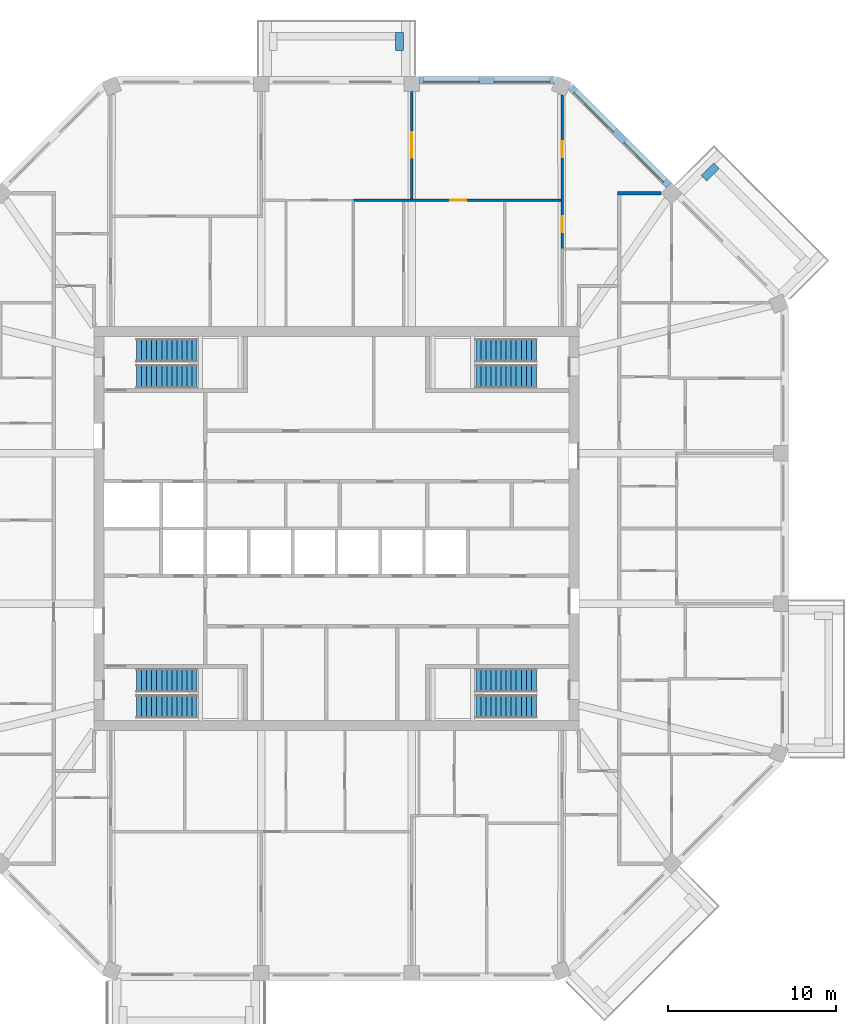
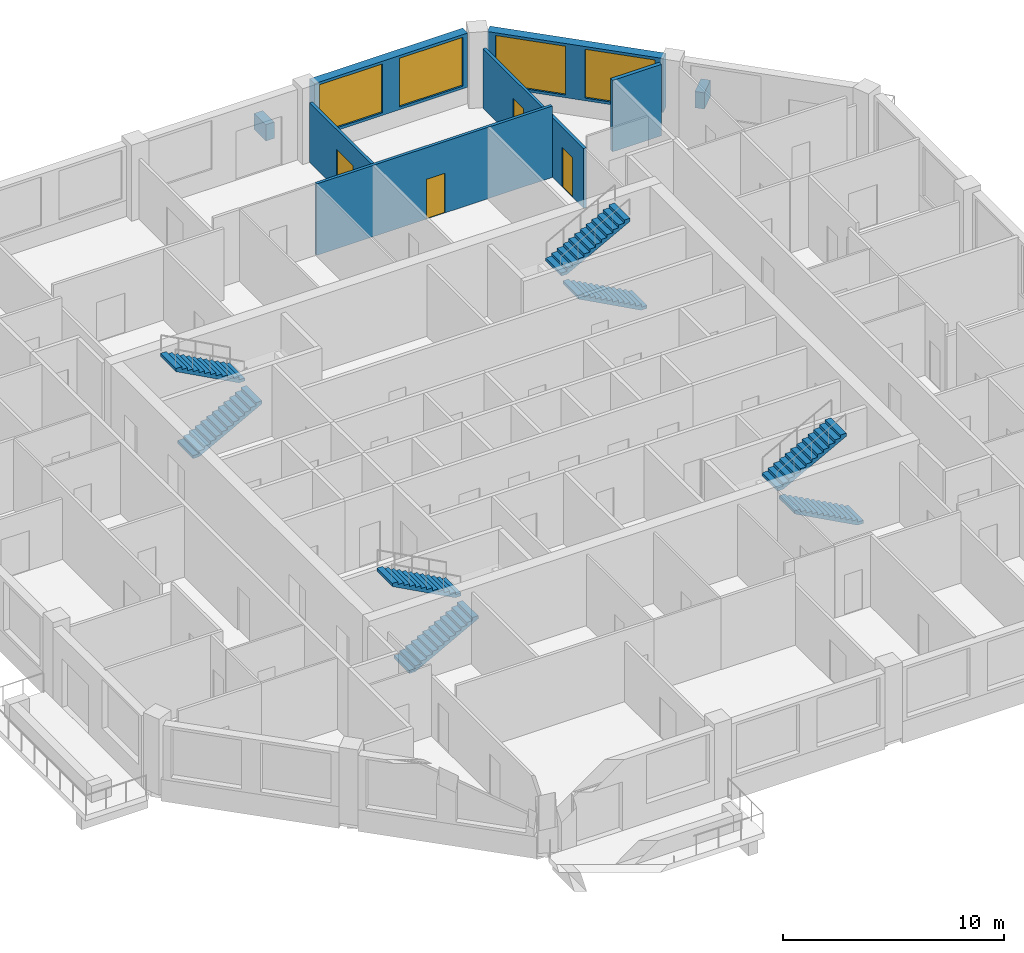
# One storey, part 10 of 11: 8 stair flights, 8 walls, 4 doors, 4 windows, 8 openings, 4 elements without a shape of their own.
"""IFC4 building model written with IfcOpenShell, lengths in metres."""

from ifc_helpers import new_model, si_unit, direction, frame, frame_2d, origin, place, context, subcontext, project, spatial, polyline, rectangle, outline, extrude, material, layer, layer_set, type_object, element, fill, aggregate, save


model = new_model("IFC4")

# Units and contexts
model_context = context("Model", 3, precision=1e-05, world=origin(), true_north=direction((0.0, 1.0)))
body_context = subcontext(model_context, "Body", "Model", "MODEL_VIEW")
ifc_project = project(units=[si_unit("LENGTHUNIT", "METRE"), si_unit("AREAUNIT", "SQUARE_METRE"), si_unit("VOLUMEUNIT", "CUBIC_METRE"), si_unit("PLANEANGLEUNIT", "RADIAN"), si_unit("MASSUNIT", "GRAM", prefix="KILO")], contexts=[model_context])

# Site, building, storey
site_placement = place(None, origin())
site = spatial("IfcSite", under=ifc_project, at=site_placement, CompositionType="ELEMENT")
building_placement = place(site_placement, origin())
building = spatial("IfcBuilding", under=site, at=building_placement, Name="Msitu Wima Residences", CompositionType="ELEMENT")
storey_placement = place(building_placement, frame((0.0, 0.0, 264.300048828125)))
storey = spatial("IfcBuildingStorey", under=building, at=storey_placement, Name="L61", CompositionType="ELEMENT", Elevation=264.300048828125)

# Walls
ifc_material_1 = material(Name="Facing brick")
ifc_layer_1 = layer(ifc_material_1, 0.06494140625, Name="Facing brick")
ifc_material_2 = material(Name="Concrete C40/50", Category="concrete")
ifc_layer_2 = layer(ifc_material_2, 0.156005859375, Name="Concrete C40/50")
ifc_material_3 = material(Name="Waterproofing membrane")
ifc_layer_3 = layer(ifc_material_3, 0.00390625, Name="Waterproofing membrane")
ifc_material_4 = material(Name="Planting soil and planting")
ifc_layer_4 = layer(ifc_material_4, 0.22509765625, Name="Planting soil and planting")
ifc_layer_set_1 = layer_set([ifc_layer_1, ifc_layer_2, ifc_layer_3, ifc_layer_4], Name="Concrete C40/50")
wall_type_1 = type_object("IfcWallType", Name="Balcony planter PLANTER PL450", PredefinedType="USERDEFINED", material=ifc_layer_set_1)
for number, where, z_axis, x_axis, name in (
    (1, (21.829833984375, 20.804443359375, 0.0), (0.0, 0.0, 1.0), (0.707106781187, 0.707106781187, 0.0), "Balcony planter NE0 L61"),
    (2, (3.74365234375, 28.39990234375, 0.0), (0.0, 0.0, 1.0), (0.0, 1.0, 0.0), "Balcony planter N1 L61"),
):
    element("IfcWall", number, at=place(storey_placement, frame(where, z_axis=z_axis, x_axis=x_axis)), inside=storey, type_object=wall_type_1, Name=name, ObjectType="PLANTER", PredefinedType="USERDEFINED", context=body_context, shape_type="SweptSolid", body=[
        extrude(rectangle(XDim=1.050048828125, YDim=0.449951171875, at=frame_2d((0.52490234375, 0.0))), origin(), (0.0, 0.0, 1.0), 0.89990234375),
    ])

# Wall, openings, windows
ifc_material_5 = material(Name="Brick (red buff mix)", Category="masonry")
ifc_layer_5 = layer(ifc_material_5, 0.449951171875)
ifc_layer_set_2 = layer_set([ifc_layer_5], Name="Brick (red buff mix)")
wall_type_2 = type_object("IfcWallType", Name="Brick infill wall BW450", PredefinedType="SOLIDWALL", material=ifc_layer_set_2)
wall_1_placement = place(storey_placement, frame((19.743896484375, 20.380126953125, 0.89990234375), z_axis=(0.0, 0.0, 1.0), x_axis=(-0.707106781187, 0.707106781187, 0.0)))
wall_1 = element("IfcWall", 3, at=wall_1_placement, inside=storey, type_object=wall_type_2, Name="Brick infill wall L61 NE1", PredefinedType="SOLIDWALL", context=body_context, shape_type="SweptSolid", body=[
    extrude(rectangle(XDim=8.251220703125, YDim=0.449951171875, at=frame_2d((4.12548828125, 0.0))), origin(), (0.0, 0.0, 1.0), 3.0),
])
opening_1_placement = place(wall_1_placement, frame((0.37548828125, 0.0, 0.14990234375)))
opening_1 = element("IfcOpeningElement", 4, at=opening_1_placement, cuts=wall_1, Name="Opening W60-62.012", PredefinedType="OPENING", context=body_context, shape_type="SweptSolid", body=[
    extrude(rectangle(XDim=3.300048828125, YDim=2.699951171875, at=frame_2d((1.64990234375, 1.35009765625))), frame((0.0, 0.23486328125, 0.0), z_axis=(0.0, -1.0, 0.0), x_axis=(1.0, 0.0, 0.0)), (0.0, 0.0, 1.0), 0.469970703125),
])
opening_2_placement = place(wall_1_placement, frame((4.57568359375, 0.0, 0.14990234375)))
opening_2 = element("IfcOpeningElement", 5, at=opening_2_placement, cuts=wall_1, Name="Opening W60-62.013", PredefinedType="OPENING", context=body_context, shape_type="SweptSolid", body=[
    extrude(rectangle(XDim=3.300048828125, YDim=2.699951171875, at=frame_2d((1.64990234375, 1.35009765625))), frame((0.0, 0.23486328125, 0.0), z_axis=(0.0, -1.0, 0.0), x_axis=(1.0, 0.0, 0.0)), (0.0, 0.0, 1.0), 0.469970703125),
])
ifc_material_6 = material(Name="Anodised aluminium, bronze finish, clear low-emissivity double glazing", Category="aluminium")
window_type = type_object("IfcWindowType", Name="Window W3300x2700", PartitioningType="DOUBLE_PANEL_VERTICAL", PredefinedType="WINDOW", material=ifc_material_6)
window_1_placement = place(opening_1_placement, origin())
window_1 = element("IfcWindow", 6, at=window_1_placement, inside=storey, type_object=window_type, Name="Window L61 NE1.1", OverallHeight=2.699951171875, OverallWidth=3.300048828125, PartitioningType="SINGLE_PANEL", PredefinedType="WINDOW", context=body_context, shape_type="SweptSolid", body=[
    extrude(rectangle(XDim=3.300048828125, YDim=2.699951171875, at=frame_2d((1.64990234375, 1.35009765625))), frame((0.0, 0.135009765625, 0.0), z_axis=(0.0, -1.0, 0.0), x_axis=(1.0, 0.0, 0.0)), (0.0, 0.0, 1.0), 0.06005859375),
])
fill(opening_1, window_1)
window_2_placement = place(opening_2_placement, origin())
window_2 = element("IfcWindow", 7, at=window_2_placement, inside=storey, type_object=window_type, Name="Window L61 NE1.2", OverallHeight=2.699951171875, OverallWidth=3.300048828125, PartitioningType="SINGLE_PANEL", PredefinedType="WINDOW", context=body_context, shape_type="SweptSolid", body=[
    extrude(rectangle(XDim=3.300048828125, YDim=2.699951171875, at=frame_2d((1.64990234375, 1.35009765625))), frame((0.0, 0.135009765625, 0.0), z_axis=(0.0, -1.0, 0.0), x_axis=(1.0, 0.0, 0.0)), (0.0, 0.0, 1.0), 0.06005859375),
])
fill(opening_2, window_2)

wall_2_placement = place(storey_placement, frame((12.918701171875, 26.625, 0.89990234375), z_axis=(0.0, 0.0, 1.0), x_axis=(-1.0, 0.0, 0.0)))
wall_2 = element("IfcWall", 8, at=wall_2_placement, inside=storey, type_object=wall_type_2, Name="Brick infill wall L61 N0", PredefinedType="SOLIDWALL", context=body_context, shape_type="SweptSolid", body=[
    extrude(rectangle(XDim=8.0, YDim=0.449951171875, at=frame_2d((4.0, 0.0))), origin(), (0.0, 0.0, 1.0), 3.0),
])
opening_3_placement = place(wall_2_placement, frame((0.25, 0.0, 0.14990234375)))
opening_3 = element("IfcOpeningElement", 9, at=opening_3_placement, cuts=wall_2, Name="Opening W60-62.006", PredefinedType="OPENING", context=body_context, shape_type="SweptSolid", body=[
    extrude(rectangle(XDim=3.300048828125, YDim=2.699951171875, at=frame_2d((1.64990234375, 1.35009765625))), frame((0.0, 0.23486328125, 0.0), z_axis=(0.0, -1.0, 0.0), x_axis=(1.0, 0.0, 0.0)), (0.0, 0.0, 1.0), 0.469970703125),
])
opening_4_placement = place(wall_2_placement, frame((4.4501953125, 0.0, 0.14990234375)))
opening_4 = element("IfcOpeningElement", 10, at=opening_4_placement, cuts=wall_2, Name="Opening W60-62.007", PredefinedType="OPENING", context=body_context, shape_type="SweptSolid", body=[
    extrude(rectangle(XDim=3.300048828125, YDim=2.699951171875, at=frame_2d((1.64990234375, 1.35009765625))), frame((0.0, 0.23486328125, 0.0), z_axis=(0.0, -1.0, 0.0), x_axis=(1.0, 0.0, 0.0)), (0.0, 0.0, 1.0), 0.469970703125),
])
window_3_placement = place(opening_3_placement, origin())
window_3 = element("IfcWindow", 11, at=window_3_placement, inside=storey, type_object=window_type, Name="Window L61 N0.1", OverallHeight=2.699951171875, OverallWidth=3.300048828125, PartitioningType="SINGLE_PANEL", PredefinedType="WINDOW", context=body_context, shape_type="SweptSolid", body=[
    extrude(rectangle(XDim=3.300048828125, YDim=2.699951171875, at=frame_2d((1.64990234375, 1.35009765625))), frame((0.0, 0.135009765625, 0.0), z_axis=(0.0, -1.0, 0.0), x_axis=(1.0, 0.0, 0.0)), (0.0, 0.0, 1.0), 0.06005859375),
])
fill(opening_3, window_3)
window_4_placement = place(opening_4_placement, origin())
window_4 = element("IfcWindow", 12, at=window_4_placement, inside=storey, type_object=window_type, Name="Window L61 N0.2", OverallHeight=2.699951171875, OverallWidth=3.300048828125, PartitioningType="SINGLE_PANEL", PredefinedType="WINDOW", context=body_context, shape_type="SweptSolid", body=[
    extrude(rectangle(XDim=3.300048828125, YDim=2.699951171875, at=frame_2d((1.64990234375, 1.35009765625))), frame((0.0, 0.135009765625, 0.0), z_axis=(0.0, -1.0, 0.0), x_axis=(1.0, 0.0, 0.0)), (0.0, 0.0, 1.0), 0.06005859375),
])
fill(opening_4, window_4)

# Wall, opening, door
ifc_material_7 = material(Name="Plaster")
ifc_layer_6 = layer(ifc_material_7, 0.011962890625, Name="Plaster")
ifc_material_8 = material(Name="Concrete blockwork", Category="masonry")
ifc_layer_7 = layer(ifc_material_8, 0.1259765625, Name="Concrete blockwork")
ifc_layer_8 = layer(ifc_material_7, 0.011962890625, Name="Plaster")
ifc_layer_set_3 = layer_set([ifc_layer_6, ifc_layer_7, ifc_layer_8], Name="Concrete blockwork")
wall_type_3 = type_object("IfcWallType", Name="Partition PW150", PredefinedType="PARTITIONING", material=ifc_layer_set_3)
wall_3_placement = place(storey_placement, frame((1.0, 19.5, 0.0), z_axis=(0.0, 0.0, 1.0), x_axis=(1.0, 0.0, 0.0)))
wall_3 = element("IfcWall", 13, at=wall_3_placement, inside=storey, type_object=wall_type_3, Name="Partition", PredefinedType="PARTITIONING", context=body_context, shape_type="SweptSolid", body=[
    extrude(rectangle(XDim=12.330810546875, YDim=0.14990234375, at=frame_2d((6.16552734375, 0.0))), origin(), (0.0, 0.0, 1.0), 3.949951171875),
])
opening_5_placement = place(wall_3_placement, frame((5.75, 0.0, 0.0)))
opening_5 = element("IfcOpeningElement", 14, at=opening_5_placement, cuts=wall_3, Name="Opening D60-62.028", PredefinedType="OPENING", context=body_context, shape_type="SweptSolid", body=[
    extrude(rectangle(XDim=0.949951171875, YDim=2.199951171875, at=frame_2d((0.47509765625, 1.10009765625))), frame((0.0, 0.0849609375, 0.0), z_axis=(0.0, -1.0, 0.0), x_axis=(1.0, 0.0, 0.0)), (0.0, 0.0, 1.0), 0.169921875),
])
ifc_material_9 = material(Name="Timber flush door", Category="wood")
door_type_1 = type_object("IfcDoorType", Name="Room door D12 950x2200", OperationType="SINGLE_SWING_LEFT", PredefinedType="DOOR", material=ifc_material_9)
door_1_placement = place(opening_5_placement, origin())
door_1 = element("IfcDoor", 15, at=door_1_placement, inside=storey, type_object=door_type_1, Name="Room door", OperationType="SINGLE_SWING_LEFT", OverallHeight=2.199951171875, OverallWidth=0.949951171875, PredefinedType="DOOR", context=body_context, shape_type="SweptSolid", body=[
    extrude(rectangle(XDim=0.949951171875, YDim=2.199951171875, at=frame_2d((0.47509765625, 1.10009765625))), frame((0.0, 0.02490234375, 0.0), z_axis=(0.0, -1.0, 0.0), x_axis=(1.0, 0.0, 0.0)), (0.0, 0.0, 1.0), 0.050048828125),
])
fill(opening_5, door_1)

wall_4_placement = place(storey_placement, frame((4.46875, 19.574951171875, 0.0), z_axis=(0.0, 0.0, 1.0), x_axis=(0.0, 1.0, 0.0)))
wall_4 = element("IfcWall", 16, at=wall_4_placement, inside=storey, type_object=wall_type_3, Name="Partition", PredefinedType="PARTITIONING", context=body_context, shape_type="SweptSolid", body=[
    extrude(rectangle(XDim=6.375, YDim=0.14990234375, at=frame_2d((3.1875, 0.0))), origin(), (0.0, 0.0, 1.0), 3.300048828125),
])
opening_6_placement = place(wall_4_placement, frame((2.449951171875, 0.0, 0.0)))
opening_6 = element("IfcOpeningElement", 17, at=opening_6_placement, cuts=wall_4, Name="Opening D60-62.036", PredefinedType="OPENING", context=body_context, shape_type="SweptSolid", body=[
    extrude(rectangle(XDim=1.5, YDim=2.199951171875, at=frame_2d((0.75, 1.10009765625))), frame((0.0, 0.0849609375, 0.0), z_axis=(0.0, -1.0, 0.0), x_axis=(1.0, 0.0, 0.0)), (0.0, 0.0, 1.0), 0.169921875),
])
ifc_material_10 = material(Name="Timber double door", Category="wood")
door_type_2 = type_object("IfcDoorType", Name="Double door D04 1500x2200", OperationType="DOUBLE_DOOR_SINGLE_SWING", PredefinedType="DOOR", material=ifc_material_10)
door_2_placement = place(opening_6_placement, origin())
door_2 = element("IfcDoor", 18, at=door_2_placement, inside=storey, type_object=door_type_2, Name="Double door", OperationType="DOUBLE_DOOR_SINGLE_SWING", OverallHeight=2.199951171875, OverallWidth=1.5, PredefinedType="DOOR", context=body_context, shape_type="SweptSolid", body=[
    extrude(rectangle(XDim=1.5, YDim=2.199951171875, at=frame_2d((0.75, 1.10009765625))), frame((0.0, 0.02490234375, 0.0), z_axis=(0.0, -1.0, 0.0), x_axis=(1.0, 0.0, 0.0)), (0.0, 0.0, 1.0), 0.050048828125),
])
fill(opening_6, door_2)

# Wall, openings, doors
wall_5_placement = place(storey_placement, frame((13.406005859375, 16.60009765625, 0.0), z_axis=(0.0, 0.0, 1.0), x_axis=(0.0, 1.0, 0.0)))
wall_5 = element("IfcWall", 19, at=wall_5_placement, inside=storey, type_object=wall_type_3, Name="Partition", PredefinedType="PARTITIONING", context=body_context, shape_type="SweptSolid", body=[
    extrude(rectangle(XDim=9.131103515625, YDim=0.14990234375, at=frame_2d((4.5654296875, 0.0))), origin(), (0.0, 0.0, 1.0), 3.300048828125),
])
opening_7_placement = place(wall_5_placement, frame((5.449951171875, 0.0, 0.0)))
opening_7 = element("IfcOpeningElement", 20, at=opening_7_placement, cuts=wall_5, Name="Opening D60-62.037", PredefinedType="OPENING", context=body_context, shape_type="SweptSolid", body=[
    extrude(rectangle(XDim=0.949951171875, YDim=2.199951171875, at=frame_2d((0.47509765625, 1.10009765625))), frame((0.0, 0.0849609375, 0.0), z_axis=(0.0, -1.0, 0.0), x_axis=(1.0, 0.0, 0.0)), (0.0, 0.0, 1.0), 0.169921875),
])
opening_8_placement = place(wall_5_placement, frame((1.0, 0.0, 0.0)))
opening_8 = element("IfcOpeningElement", 21, at=opening_8_placement, cuts=wall_5, Name="Opening D60-62.038", PredefinedType="OPENING", context=body_context, shape_type="SweptSolid", body=[
    extrude(rectangle(XDim=0.949951171875, YDim=2.199951171875, at=frame_2d((0.47509765625, 1.10009765625))), frame((0.0, 0.0849609375, 0.0), z_axis=(0.0, -1.0, 0.0), x_axis=(1.0, 0.0, 0.0)), (0.0, 0.0, 1.0), 0.169921875),
])
door_3_placement = place(opening_7_placement, origin())
door_3 = element("IfcDoor", 22, at=door_3_placement, inside=storey, type_object=door_type_1, Name="Room door", OperationType="SINGLE_SWING_LEFT", OverallHeight=2.199951171875, OverallWidth=0.949951171875, PredefinedType="DOOR", context=body_context, shape_type="SweptSolid", body=[
    extrude(rectangle(XDim=0.949951171875, YDim=2.199951171875, at=frame_2d((0.47509765625, 1.10009765625))), frame((0.0, 0.02490234375, 0.0), z_axis=(0.0, -1.0, 0.0), x_axis=(1.0, 0.0, 0.0)), (0.0, 0.0, 1.0), 0.050048828125),
])
fill(opening_7, door_3)
door_4_placement = place(opening_8_placement, origin())
door_4 = element("IfcDoor", 23, at=door_4_placement, inside=storey, type_object=door_type_1, Name="Room door", OperationType="SINGLE_SWING_RIGHT", OverallHeight=2.199951171875, OverallWidth=0.949951171875, PredefinedType="DOOR", context=body_context, shape_type="SweptSolid", body=[
    extrude(rectangle(XDim=0.949951171875, YDim=2.199951171875, at=frame_2d((0.47509765625, 1.10009765625))), frame((0.0, 0.02490234375, 0.0), z_axis=(0.0, -1.0, 0.0), x_axis=(1.0, 0.0, 0.0)), (0.0, 0.0, 1.0), 0.050048828125),
])
fill(opening_8, door_4)

# Wall
ifc_layer_9 = layer(ifc_material_7, 0.011962890625, Name="Plaster")
ifc_material_11 = material(Name="Dense concrete blockwork", Category="masonry")
ifc_layer_10 = layer(ifc_material_11, 0.176025390625, Name="Dense concrete blockwork")
ifc_layer_11 = layer(ifc_material_7, 0.011962890625, Name="Plaster")
ifc_layer_set_4 = layer_set([ifc_layer_9, ifc_layer_10, ifc_layer_11], Name="Dense concrete blockwork")
wall_type_4 = type_object("IfcWallType", Name="Party wall PW200", PredefinedType="PARTITIONING", material=ifc_layer_set_4)
wall_6_placement = place(storey_placement, frame((16.699951171875, 19.90283203125, 0.0), z_axis=(0.0, 0.0, 1.0), x_axis=(1.0, 0.0, 0.0)))
element("IfcWall", 24, at=wall_6_placement, inside=storey, type_object=wall_type_4, Name="Party wall", PredefinedType="PARTITIONING", context=body_context, shape_type="SweptSolid", body=[
    extrude(rectangle(XDim=2.566650390625, YDim=0.199951171875, at=frame_2d((1.283203125, 0.0))), origin(), (0.0, 0.0, 1.0), 3.949951171875),
])

# Stair, stair flights
stair_type = type_object("IfcStairType", Name="Exit stair ES1615-140", PredefinedType="HALF_TURN_STAIR", material=ifc_material_2)
stair_1_placement = place(storey_placement, origin())
stair_1 = element("IfcStair", 25, at=stair_1_placement, inside=storey, type_object=stair_type, Name="Exit stair 1", PredefinedType="HALF_TURN_STAIR")
stair_flight_type = type_object("IfcStairFlightType", Name="Exit stair flight ES1615-140", PredefinedType="STRAIGHT", material=ifc_material_2)
stair_flight_1_placement = place(storey_placement, frame((-11.875, 9.02490234375, 0.0), z_axis=(0.0, 0.0, 1.0), x_axis=(1.0, 0.0, 0.0)))
stair_flight_1 = element("IfcStairFlight", 26, at=stair_flight_1_placement, type_object=stair_flight_type, Name="S1 flight 1", NumberOfRisers=13, NumberOfTreads=12, PredefinedType="STRAIGHT", RiserHeight=0.161538462, TreadLength=0.3, context=body_context, shape_type="SweptSolid", body=[
    extrude(outline(polyline([(0.0, 0.0), (0.0, 0.16162109375), (0.300048828125, 0.16162109375), (0.300048828125, 0.322998046875), (0.60009765625, 0.322998046875), (0.60009765625, 0.484619140625), (0.89990234375, 0.484619140625), (0.89990234375, 0.646240234375), (1.199951171875, 0.646240234375), (1.199951171875, 0.8076171875), (1.5, 0.8076171875), (1.5, 0.96923828125), (1.800048828125, 0.96923828125), (1.800048828125, 1.130859375), (2.10009765625, 1.130859375), (2.10009765625, 1.292236328125), (2.39990234375, 1.292236328125), (2.39990234375, 1.453857421875), (2.699951171875, 1.453857421875), (2.699951171875, 1.615478515625), (3.0, 1.615478515625), (3.0, 1.77685546875), (3.300048828125, 1.77685546875), (3.300048828125, 1.9384765625), (3.60009765625, 1.9384765625), (3.60009765625, 2.10009765625), (3.60009765625, 1.768310546875), (0.316162109375, 0.0), (0.0, 0.0)])), frame((0.0, 0.699951171875, 0.0), z_axis=(0.0, -1.0, 0.0), x_axis=(1.0, 0.0, 0.0)), (0.0, 0.0, 1.0), 1.39990234375),
])
stair_flight_2_placement = place(storey_placement, frame((-8.27490234375, 10.574951171875, 2.099853515625), z_axis=(0.0, 0.0, 1.0), x_axis=(-1.0, 0.0, 0.0)))
stair_flight_2 = element("IfcStairFlight", 27, at=stair_flight_2_placement, type_object=stair_flight_type, Name="S1 flight 2", NumberOfRisers=13, NumberOfTreads=12, PredefinedType="STRAIGHT", RiserHeight=0.161538462, TreadLength=0.3, context=body_context, shape_type="SweptSolid", body=[
    extrude(outline(polyline([(0.0, 0.0), (0.0, 0.16162109375), (0.300048828125, 0.16162109375), (0.300048828125, 0.322998046875), (0.60009765625, 0.322998046875), (0.60009765625, 0.484619140625), (0.89990234375, 0.484619140625), (0.89990234375, 0.646240234375), (1.199951171875, 0.646240234375), (1.199951171875, 0.8076171875), (1.5, 0.8076171875), (1.5, 0.96923828125), (1.800048828125, 0.96923828125), (1.800048828125, 1.130859375), (2.10009765625, 1.130859375), (2.10009765625, 1.292236328125), (2.39990234375, 1.292236328125), (2.39990234375, 1.453857421875), (2.699951171875, 1.453857421875), (2.699951171875, 1.615478515625), (3.0, 1.615478515625), (3.0, 1.77685546875), (3.300048828125, 1.77685546875), (3.300048828125, 1.9384765625), (3.60009765625, 1.9384765625), (3.60009765625, 2.10009765625), (3.60009765625, 1.768310546875), (0.316162109375, 0.0), (0.0, 0.0)])), frame((0.0, 0.699951171875, 0.0), z_axis=(0.0, -1.0, 0.0), x_axis=(1.0, 0.0, 0.0)), (0.0, 0.0, 1.0), 1.39990234375),
])
aggregate(stair_1, [stair_flight_1, stair_flight_2])

stair_2_placement = place(storey_placement, origin())
stair_2 = element("IfcStair", 28, at=stair_2_placement, inside=storey, type_object=stair_type, Name="Exit stair 2", PredefinedType="HALF_TURN_STAIR")
stair_flight_3_placement = place(storey_placement, frame((-11.875, -10.574951171875, 0.0), z_axis=(0.0, 0.0, 1.0), x_axis=(1.0, 0.0, 0.0)))
stair_flight_3 = element("IfcStairFlight", 29, at=stair_flight_3_placement, type_object=stair_flight_type, Name="S2 flight 1", NumberOfRisers=13, NumberOfTreads=12, PredefinedType="STRAIGHT", RiserHeight=0.161538462, TreadLength=0.3, context=body_context, shape_type="SweptSolid", body=[
    extrude(outline(polyline([(0.0, 0.0), (0.0, 0.16162109375), (0.300048828125, 0.16162109375), (0.300048828125, 0.322998046875), (0.60009765625, 0.322998046875), (0.60009765625, 0.484619140625), (0.89990234375, 0.484619140625), (0.89990234375, 0.646240234375), (1.199951171875, 0.646240234375), (1.199951171875, 0.8076171875), (1.5, 0.8076171875), (1.5, 0.96923828125), (1.800048828125, 0.96923828125), (1.800048828125, 1.130859375), (2.10009765625, 1.130859375), (2.10009765625, 1.292236328125), (2.39990234375, 1.292236328125), (2.39990234375, 1.453857421875), (2.699951171875, 1.453857421875), (2.699951171875, 1.615478515625), (3.0, 1.615478515625), (3.0, 1.77685546875), (3.300048828125, 1.77685546875), (3.300048828125, 1.9384765625), (3.60009765625, 1.9384765625), (3.60009765625, 2.10009765625), (3.60009765625, 1.768310546875), (0.316162109375, 0.0), (0.0, 0.0)])), frame((0.0, 0.699951171875, 0.0), z_axis=(0.0, -1.0, 0.0), x_axis=(1.0, 0.0, 0.0)), (0.0, 0.0, 1.0), 1.39990234375),
])
stair_flight_4_placement = place(storey_placement, frame((-8.27490234375, -9.02490234375, 2.099853515625), z_axis=(0.0, 0.0, 1.0), x_axis=(-1.0, 0.0, 0.0)))
stair_flight_4 = element("IfcStairFlight", 30, at=stair_flight_4_placement, type_object=stair_flight_type, Name="S2 flight 2", NumberOfRisers=13, NumberOfTreads=12, PredefinedType="STRAIGHT", RiserHeight=0.161538462, TreadLength=0.3, context=body_context, shape_type="SweptSolid", body=[
    extrude(outline(polyline([(0.0, 0.0), (0.0, 0.16162109375), (0.300048828125, 0.16162109375), (0.300048828125, 0.322998046875), (0.60009765625, 0.322998046875), (0.60009765625, 0.484619140625), (0.89990234375, 0.484619140625), (0.89990234375, 0.646240234375), (1.199951171875, 0.646240234375), (1.199951171875, 0.8076171875), (1.5, 0.8076171875), (1.5, 0.96923828125), (1.800048828125, 0.96923828125), (1.800048828125, 1.130859375), (2.10009765625, 1.130859375), (2.10009765625, 1.292236328125), (2.39990234375, 1.292236328125), (2.39990234375, 1.453857421875), (2.699951171875, 1.453857421875), (2.699951171875, 1.615478515625), (3.0, 1.615478515625), (3.0, 1.77685546875), (3.300048828125, 1.77685546875), (3.300048828125, 1.9384765625), (3.60009765625, 1.9384765625), (3.60009765625, 2.10009765625), (3.60009765625, 1.768310546875), (0.316162109375, 0.0), (0.0, 0.0)])), frame((0.0, 0.699951171875, 0.0), z_axis=(0.0, -1.0, 0.0), x_axis=(1.0, 0.0, 0.0)), (0.0, 0.0, 1.0), 1.39990234375),
])
aggregate(stair_2, [stair_flight_3, stair_flight_4])

stair_3_placement = place(storey_placement, origin())
stair_3 = element("IfcStair", 31, at=stair_3_placement, inside=storey, type_object=stair_type, Name="Exit stair 3", PredefinedType="HALF_TURN_STAIR")
stair_flight_5_placement = place(storey_placement, frame((11.875, 9.02490234375, 0.0), z_axis=(0.0, 0.0, 1.0), x_axis=(-1.0, 0.0, 0.0)))
stair_flight_5 = element("IfcStairFlight", 32, at=stair_flight_5_placement, type_object=stair_flight_type, Name="S3 flight 1", NumberOfRisers=13, NumberOfTreads=12, PredefinedType="STRAIGHT", RiserHeight=0.161538462, TreadLength=0.3, context=body_context, shape_type="SweptSolid", body=[
    extrude(outline(polyline([(0.0, 0.0), (0.0, 0.16162109375), (0.300048828125, 0.16162109375), (0.300048828125, 0.322998046875), (0.60009765625, 0.322998046875), (0.60009765625, 0.484619140625), (0.89990234375, 0.484619140625), (0.89990234375, 0.646240234375), (1.199951171875, 0.646240234375), (1.199951171875, 0.8076171875), (1.5, 0.8076171875), (1.5, 0.96923828125), (1.800048828125, 0.96923828125), (1.800048828125, 1.130859375), (2.10009765625, 1.130859375), (2.10009765625, 1.292236328125), (2.39990234375, 1.292236328125), (2.39990234375, 1.453857421875), (2.699951171875, 1.453857421875), (2.699951171875, 1.615478515625), (3.0, 1.615478515625), (3.0, 1.77685546875), (3.300048828125, 1.77685546875), (3.300048828125, 1.9384765625), (3.60009765625, 1.9384765625), (3.60009765625, 2.10009765625), (3.60009765625, 1.768310546875), (0.316162109375, 0.0), (0.0, 0.0)])), frame((0.0, 0.699951171875, 0.0), z_axis=(0.0, -1.0, 0.0), x_axis=(1.0, 0.0, 0.0)), (0.0, 0.0, 1.0), 1.39990234375),
])
stair_flight_6_placement = place(storey_placement, frame((8.27490234375, 10.574951171875, 2.099853515625), z_axis=(0.0, 0.0, 1.0), x_axis=(1.0, 0.0, 0.0)))
stair_flight_6 = element("IfcStairFlight", 33, at=stair_flight_6_placement, type_object=stair_flight_type, Name="S3 flight 2", NumberOfRisers=13, NumberOfTreads=12, PredefinedType="STRAIGHT", RiserHeight=0.161538462, TreadLength=0.3, context=body_context, shape_type="SweptSolid", body=[
    extrude(outline(polyline([(0.0, 0.0), (0.0, 0.16162109375), (0.300048828125, 0.16162109375), (0.300048828125, 0.322998046875), (0.60009765625, 0.322998046875), (0.60009765625, 0.484619140625), (0.89990234375, 0.484619140625), (0.89990234375, 0.646240234375), (1.199951171875, 0.646240234375), (1.199951171875, 0.8076171875), (1.5, 0.8076171875), (1.5, 0.96923828125), (1.800048828125, 0.96923828125), (1.800048828125, 1.130859375), (2.10009765625, 1.130859375), (2.10009765625, 1.292236328125), (2.39990234375, 1.292236328125), (2.39990234375, 1.453857421875), (2.699951171875, 1.453857421875), (2.699951171875, 1.615478515625), (3.0, 1.615478515625), (3.0, 1.77685546875), (3.300048828125, 1.77685546875), (3.300048828125, 1.9384765625), (3.60009765625, 1.9384765625), (3.60009765625, 2.10009765625), (3.60009765625, 1.768310546875), (0.316162109375, 0.0), (0.0, 0.0)])), frame((0.0, 0.699951171875, 0.0), z_axis=(0.0, -1.0, 0.0), x_axis=(1.0, 0.0, 0.0)), (0.0, 0.0, 1.0), 1.39990234375),
])
aggregate(stair_3, [stair_flight_5, stair_flight_6])

stair_4_placement = place(storey_placement, origin())
stair_4 = element("IfcStair", 34, at=stair_4_placement, inside=storey, type_object=stair_type, Name="Exit stair 4", PredefinedType="HALF_TURN_STAIR")
stair_flight_7_placement = place(storey_placement, frame((11.875, -10.574951171875, 0.0), z_axis=(0.0, 0.0, 1.0), x_axis=(-1.0, 0.0, 0.0)))
stair_flight_7 = element("IfcStairFlight", 35, at=stair_flight_7_placement, type_object=stair_flight_type, Name="S4 flight 1", NumberOfRisers=13, NumberOfTreads=12, PredefinedType="STRAIGHT", RiserHeight=0.161538462, TreadLength=0.3, context=body_context, shape_type="SweptSolid", body=[
    extrude(outline(polyline([(0.0, 0.0), (0.0, 0.16162109375), (0.300048828125, 0.16162109375), (0.300048828125, 0.322998046875), (0.60009765625, 0.322998046875), (0.60009765625, 0.484619140625), (0.89990234375, 0.484619140625), (0.89990234375, 0.646240234375), (1.199951171875, 0.646240234375), (1.199951171875, 0.8076171875), (1.5, 0.8076171875), (1.5, 0.96923828125), (1.800048828125, 0.96923828125), (1.800048828125, 1.130859375), (2.10009765625, 1.130859375), (2.10009765625, 1.292236328125), (2.39990234375, 1.292236328125), (2.39990234375, 1.453857421875), (2.699951171875, 1.453857421875), (2.699951171875, 1.615478515625), (3.0, 1.615478515625), (3.0, 1.77685546875), (3.300048828125, 1.77685546875), (3.300048828125, 1.9384765625), (3.60009765625, 1.9384765625), (3.60009765625, 2.10009765625), (3.60009765625, 1.768310546875), (0.316162109375, 0.0), (0.0, 0.0)])), frame((0.0, 0.699951171875, 0.0), z_axis=(0.0, -1.0, 0.0), x_axis=(1.0, 0.0, 0.0)), (0.0, 0.0, 1.0), 1.39990234375),
])
stair_flight_8_placement = place(storey_placement, frame((8.27490234375, -9.02490234375, 2.099853515625), z_axis=(0.0, 0.0, 1.0), x_axis=(1.0, 0.0, 0.0)))
stair_flight_8 = element("IfcStairFlight", 36, at=stair_flight_8_placement, type_object=stair_flight_type, Name="S4 flight 2", NumberOfRisers=13, NumberOfTreads=12, PredefinedType="STRAIGHT", RiserHeight=0.161538462, TreadLength=0.3, context=body_context, shape_type="SweptSolid", body=[
    extrude(outline(polyline([(0.0, 0.0), (0.0, 0.16162109375), (0.300048828125, 0.16162109375), (0.300048828125, 0.322998046875), (0.60009765625, 0.322998046875), (0.60009765625, 0.484619140625), (0.89990234375, 0.484619140625), (0.89990234375, 0.646240234375), (1.199951171875, 0.646240234375), (1.199951171875, 0.8076171875), (1.5, 0.8076171875), (1.5, 0.96923828125), (1.800048828125, 0.96923828125), (1.800048828125, 1.130859375), (2.10009765625, 1.130859375), (2.10009765625, 1.292236328125), (2.39990234375, 1.292236328125), (2.39990234375, 1.453857421875), (2.699951171875, 1.453857421875), (2.699951171875, 1.615478515625), (3.0, 1.615478515625), (3.0, 1.77685546875), (3.300048828125, 1.77685546875), (3.300048828125, 1.9384765625), (3.60009765625, 1.9384765625), (3.60009765625, 2.10009765625), (3.60009765625, 1.768310546875), (0.316162109375, 0.0), (0.0, 0.0)])), frame((0.0, 0.699951171875, 0.0), z_axis=(0.0, -1.0, 0.0), x_axis=(1.0, 0.0, 0.0)), (0.0, 0.0, 1.0), 1.39990234375),
])
aggregate(stair_4, [stair_flight_7, stair_flight_8])

save(model, "model.ifc")
